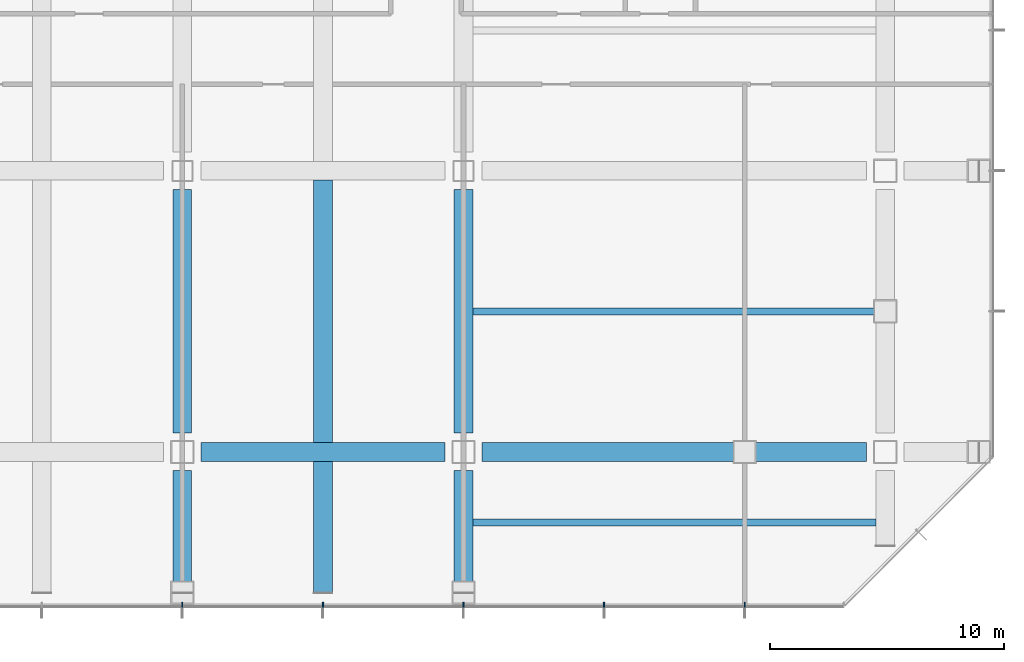
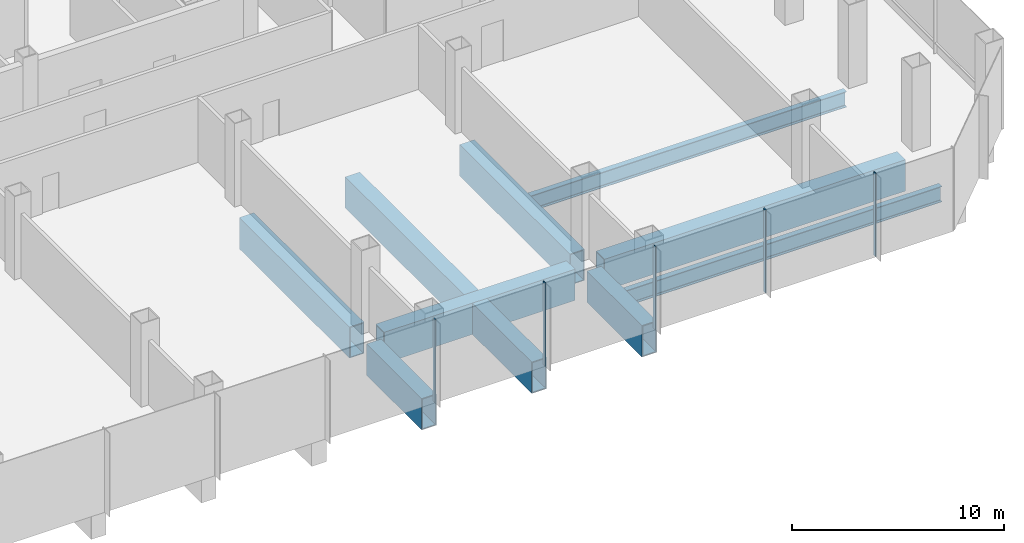
# One storey, part 8 of 34: 10 beams, 5 members, 1 element without a shape of its own.
"""IFC4 building model written with IfcOpenShell, lengths in metres."""

from ifc_helpers import new_model, si_unit, direction, frame, origin, origin_2d, place, context, subcontext, project, spatial, rectangle, hollow_rectangle, i_section, extrude, material, material_profile, profile_set, type_object, element, aggregate, save


model = new_model("IFC4")

# Units and contexts
model_context = context("Model", 3, precision=1e-05, world=origin(), true_north=direction((0.0, 1.0)))
body_context = subcontext(model_context, "Body", "Model", "MODEL_VIEW")
ifc_project = project(units=[si_unit("LENGTHUNIT", "METRE"), si_unit("AREAUNIT", "SQUARE_METRE"), si_unit("VOLUMEUNIT", "CUBIC_METRE"), si_unit("PLANEANGLEUNIT", "RADIAN"), si_unit("MASSUNIT", "GRAM", prefix="KILO")], contexts=[model_context])

# Site, building, storey
site_placement = place(None, origin())
site = spatial("IfcSite", under=ifc_project, at=site_placement, CompositionType="ELEMENT")
building_placement = place(site_placement, origin())
building = spatial("IfcBuilding", under=site, at=building_placement, Name="Sorahane Residences", CompositionType="ELEMENT")
storey_placement = place(building_placement, frame((0.0, 0.0, 20.39990234375)))
storey = spatial("IfcBuildingStorey", under=building, at=storey_placement, Name="L02", CompositionType="ELEMENT", Elevation=20.39990234375)

# Curtain wall, members
ifc_material_1 = material(Name="Dark low-e glass and black anodised aluminium", Category="aluminium")
curtain_wall_type = type_object("IfcCurtainWallType", Name="Curtain wall CW-3 Podium unitised wall", PredefinedType="NOTDEFINED", material=ifc_material_1)
curtain_wall_placement = place(storey_placement, origin())
curtain_wall = element("IfcCurtainWall", 1, at=curtain_wall_placement, inside=storey, type_object=curtain_wall_type, Name="CW-3 curtain wall L02 S1", PredefinedType="NOTDEFINED")
ifc_material_2 = material(Name="Black anodised aluminium", Category="aluminium")
ifc_material_profile_1 = material_profile(ifc_material_2, rectangle(XDim=0.199951171875, YDim=0.050048828125, at=origin_2d()), Name="Curtain wall mullion CW-3 black anodised aluminium 50x200")
ifc_profile_set_1 = profile_set([ifc_material_profile_1], Name="Black anodised aluminium")
member_type = type_object("IfcMemberType", Name="Curtain wall mullion CW-3 black anodised aluminium 50x200", PredefinedType="MULLION", material=ifc_profile_set_1)
member_1_placement = place(storey_placement, frame((36.0, -6.52001953125, -0.39990234375), z_axis=(0.0, 0.0, 1.0), x_axis=(0.0, -1.0, 0.0)))
member_1 = element("IfcMember", 2, at=member_1_placement, type_object=member_type, Name="CW-3 mullion L02 S1.6", PredefinedType="MULLION", context=body_context, shape_type="SweptSolid", body=[
    extrude(rectangle(XDim=0.199951171875, YDim=0.050048828125, at=origin_2d()), origin(), (0.0, 0.0, 1.0), 4.800048828125),
])
member_2_placement = place(storey_placement, frame((42.0, -6.52001953125, -0.39990234375), z_axis=(0.0, 0.0, 1.0), x_axis=(0.0, -1.0, 0.0)))
member_2 = element("IfcMember", 3, at=member_2_placement, type_object=member_type, Name="CW-3 mullion L02 S1.7", PredefinedType="MULLION", context=body_context, shape_type="SweptSolid", body=[
    extrude(rectangle(XDim=0.199951171875, YDim=0.050048828125, at=origin_2d()), origin(), (0.0, 0.0, 1.0), 4.800048828125),
])
member_3_placement = place(storey_placement, frame((48.0, -6.52001953125, -0.39990234375), z_axis=(0.0, 0.0, 1.0), x_axis=(0.0, -1.0, 0.0)))
member_3 = element("IfcMember", 4, at=member_3_placement, type_object=member_type, Name="CW-3 mullion L02 S1.8", PredefinedType="MULLION", context=body_context, shape_type="SweptSolid", body=[
    extrude(rectangle(XDim=0.199951171875, YDim=0.050048828125, at=origin_2d()), origin(), (0.0, 0.0, 1.0), 4.800048828125),
])
member_4_placement = place(storey_placement, frame((54.0, -6.52001953125, -0.39990234375), z_axis=(0.0, 0.0, 1.0), x_axis=(0.0, -1.0, 0.0)))
member_4 = element("IfcMember", 5, at=member_4_placement, type_object=member_type, Name="CW-3 mullion L02 S1.9", PredefinedType="MULLION", context=body_context, shape_type="SweptSolid", body=[
    extrude(rectangle(XDim=0.199951171875, YDim=0.050048828125, at=origin_2d()), origin(), (0.0, 0.0, 1.0), 4.800048828125),
])
member_5_placement = place(storey_placement, frame((60.0, -6.52001953125, -0.39990234375), z_axis=(0.0, 0.0, 1.0), x_axis=(0.0, -1.0, 0.0)))
member_5 = element("IfcMember", 6, at=member_5_placement, type_object=member_type, Name="CW-3 mullion L02 S1.10", PredefinedType="MULLION", context=body_context, shape_type="SweptSolid", body=[
    extrude(rectangle(XDim=0.199951171875, YDim=0.050048828125, at=origin_2d()), origin(), (0.0, 0.0, 1.0), 4.800048828125),
])
aggregate(curtain_wall, [member_1, member_2, member_3, member_4, member_5])

# Beams
ifc_material_3 = material(Name="Steel Q355B", Category="steel")
ifc_material_profile_2 = material_profile(ifc_material_3, i_section(OverallWidth=0.300048828125, OverallDepth=0.89990234375, WebThickness=0.01611328125, FlangeThickness=0.028076171875, FilletRadius=0.028076171875, at=origin_2d()), Name="HN 900x300x16x28")
ifc_profile_set_2 = profile_set([ifc_material_profile_2], Name="Steel Q355B")
beam_type_1 = type_object("IfcBeamType", Name="Steel floor beam HN 900x300x16x28 Q355B", PredefinedType="BEAM", material=ifc_profile_set_2)
for number, where, z_axis, x_axis, name in (
    (7, (48.400146484375, -3.0, -0.849853515625), (1.0, 0.0, 0.0), (0.0, 1.0, 0.0), "Beam L02 079"),
    (8, (48.400146484375, 6.0, -0.849853515625), (1.0, 0.0, 0.0), (0.0, 1.0, 0.0), "Beam L02 080"),
):
    element("IfcBeam", number, at=place(storey_placement, frame(where, z_axis=z_axis, x_axis=x_axis)), inside=storey, type_object=beam_type_1, Name=name, PredefinedType="BEAM", context=body_context, shape_type="SweptSolid", body=[
        extrude(i_section(OverallWidth=0.300048828125, OverallDepth=0.89990234375, WebThickness=0.01611328125, FlangeThickness=0.028076171875, FilletRadius=0.028076171875, at=origin_2d()), origin(), (0.0, 0.0, 1.0), 17.19970703125),
    ])
ifc_material_4 = material(Name="Steel Q420GJ", Category="steel")
ifc_material_profile_3 = material_profile(ifc_material_4, hollow_rectangle(XDim=0.800048828125, YDim=1.800048828125, WallThickness=0.050048828125, at=origin_2d()), Name="BOX 1800x800x50")
ifc_profile_set_3 = profile_set([ifc_material_profile_3], Name="Steel Q420GJ")
beam_type_2 = type_object("IfcBeamType", Name="Steel transfer girder BOX 1800x800x50 Q420GJ", PredefinedType="BEAM", material=ifc_profile_set_3)
beam_1_placement = place(storey_placement, frame((36.800048828125, 0.0, -1.2998046875), z_axis=(1.0, 0.0, 0.0), x_axis=(0.0, 1.0, 0.0)))
element("IfcBeam", 9, at=beam_1_placement, inside=storey, type_object=beam_type_2, Name="Beam L02 003", PredefinedType="BEAM", context=body_context, shape_type="SweptSolid", body=[
    extrude(hollow_rectangle(XDim=0.800048828125, YDim=1.800048828125, WallThickness=0.050048828125, at=origin_2d()), origin(), (0.0, 0.0, 1.0), 10.39990234375),
])
beam_2_placement = place(storey_placement, frame((48.800048828125, 0.0, -1.2998046875), z_axis=(1.0, 0.0, 0.0), x_axis=(0.0, 1.0, 0.0)))
element("IfcBeam", 10, at=beam_2_placement, inside=storey, type_object=beam_type_2, Name="Beam L02 004", PredefinedType="BEAM", context=body_context, shape_type="SweptSolid", body=[
    extrude(hollow_rectangle(XDim=0.800048828125, YDim=1.800048828125, WallThickness=0.050048828125, at=origin_2d()), origin(), (0.0, 0.0, 1.0), 16.39990234375),
])
beam_3_placement = place(storey_placement, frame((36.0, 0.800048828125, -1.2998046875), z_axis=(0.0, 1.0, 0.0), x_axis=(-1.0, 0.0, 0.0)))
element("IfcBeam", 11, at=beam_3_placement, inside=storey, type_object=beam_type_2, Name="Beam L02 041", PredefinedType="BEAM", context=body_context, shape_type="SweptSolid", body=[
    extrude(hollow_rectangle(XDim=0.800048828125, YDim=1.800048828125, WallThickness=0.050048828125, at=origin_2d()), origin(), (0.0, 0.0, 1.0), 10.39990234375),
])
beam_4_placement = place(storey_placement, frame((36.0, -6.0, -1.2998046875), z_axis=(0.0, 1.0, 0.0), x_axis=(-1.0, 0.0, 0.0)))
element("IfcBeam", 12, at=beam_4_placement, inside=storey, type_object=beam_type_2, Name="Beam L02 043", PredefinedType="BEAM", context=body_context, shape_type="SweptSolid", body=[
    extrude(hollow_rectangle(XDim=0.800048828125, YDim=1.800048828125, WallThickness=0.050048828125, at=origin_2d()), origin(), (0.0, 0.0, 1.0), 5.199951171875),
])
beam_5_placement = place(storey_placement, frame((48.0, 0.800048828125, -1.2998046875), z_axis=(0.0, 1.0, 0.0), x_axis=(-1.0, 0.0, 0.0)))
element("IfcBeam", 13, at=beam_5_placement, inside=storey, type_object=beam_type_2, Name="Beam L02 044", PredefinedType="BEAM", context=body_context, shape_type="SweptSolid", body=[
    extrude(hollow_rectangle(XDim=0.800048828125, YDim=1.800048828125, WallThickness=0.050048828125, at=origin_2d()), origin(), (0.0, 0.0, 1.0), 10.39990234375),
])
beam_6_placement = place(storey_placement, frame((48.0, -6.0, -1.2998046875), z_axis=(0.0, 1.0, 0.0), x_axis=(-1.0, 0.0, 0.0)))
element("IfcBeam", 14, at=beam_6_placement, inside=storey, type_object=beam_type_2, Name="Beam L02 048", PredefinedType="BEAM", context=body_context, shape_type="SweptSolid", body=[
    extrude(hollow_rectangle(XDim=0.800048828125, YDim=1.800048828125, WallThickness=0.050048828125, at=origin_2d()), origin(), (0.0, 0.0, 1.0), 5.199951171875),
])
beam_7_placement = place(storey_placement, frame((42.0, 0.39990234375, -1.2998046875), z_axis=(0.0, 1.0, 0.0), x_axis=(-1.0, 0.0, 0.0)))
element("IfcBeam", 15, at=beam_7_placement, inside=storey, type_object=beam_type_2, Name="Beam L02 073", PredefinedType="BEAM", context=body_context, shape_type="SweptSolid", body=[
    extrude(hollow_rectangle(XDim=0.800048828125, YDim=1.800048828125, WallThickness=0.050048828125, at=origin_2d()), origin(), (0.0, 0.0, 1.0), 11.2001953125),
])
beam_8_placement = place(storey_placement, frame((42.0, -6.0, -1.2998046875), z_axis=(0.0, 1.0, 0.0), x_axis=(-1.0, 0.0, 0.0)))
element("IfcBeam", 16, at=beam_8_placement, inside=storey, type_object=beam_type_2, Name="Beam L02 078", PredefinedType="BEAM", context=body_context, shape_type="SweptSolid", body=[
    extrude(hollow_rectangle(XDim=0.800048828125, YDim=1.800048828125, WallThickness=0.050048828125, at=origin_2d()), origin(), (0.0, 0.0, 1.0), 5.60009765625),
])

save(model, "model.ifc")
